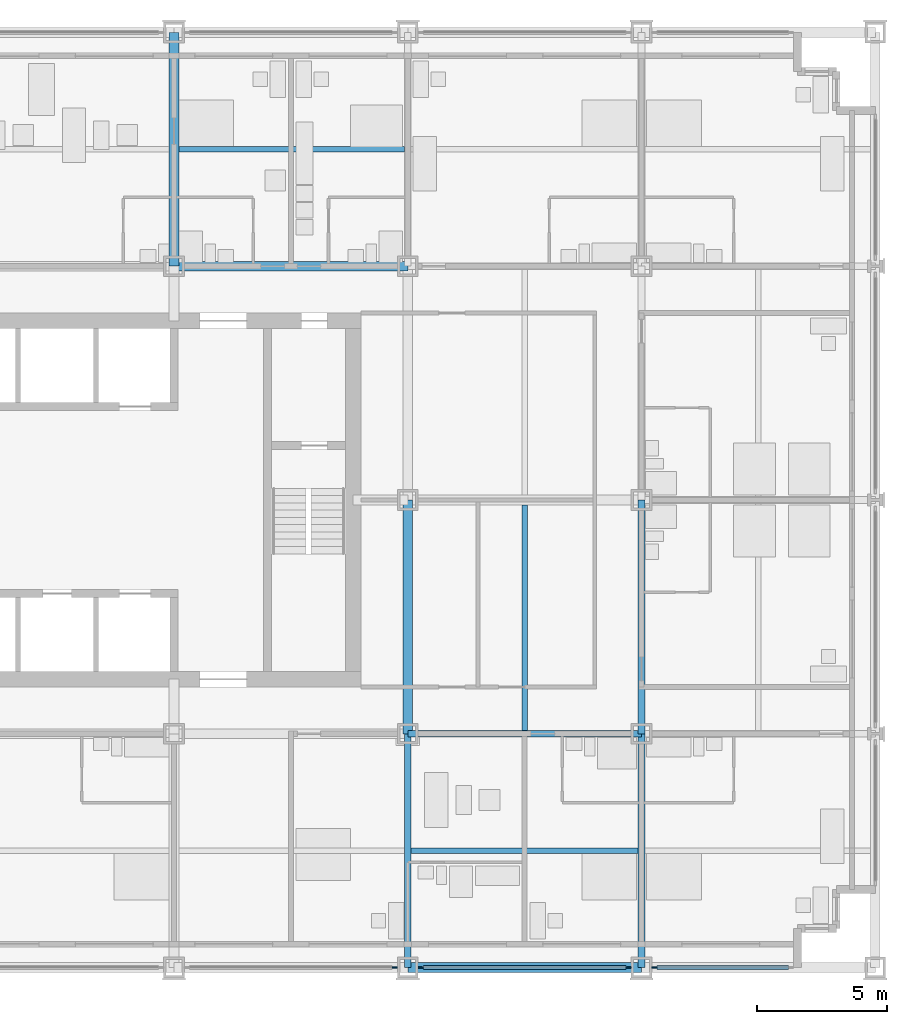
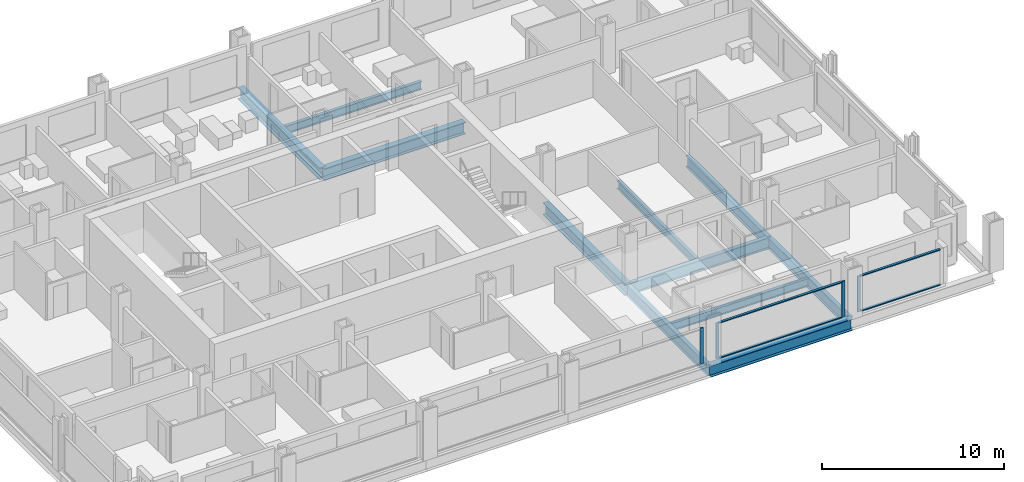
# One storey, part 5 of 18: 11 beams, 8 members, 3 elements without a shape of their own.
"""IFC4 building model written with IfcOpenShell, lengths in metres."""

from ifc_helpers import new_model, si_unit, direction, frame, origin, origin_2d, place, context, subcontext, project, spatial, rectangle, i_section, extrude, material, material_profile, profile_set, type_object, element, aggregate, save


model = new_model("IFC4")

# Units and contexts
model_context = context("Model", 3, precision=1e-05, world=origin(), true_north=direction((0.0, 1.0)))
body_context = subcontext(model_context, "Body", "Model", "MODEL_VIEW")
ifc_project = project(units=[si_unit("LENGTHUNIT", "METRE"), si_unit("AREAUNIT", "SQUARE_METRE"), si_unit("VOLUMEUNIT", "CUBIC_METRE"), si_unit("PLANEANGLEUNIT", "RADIAN"), si_unit("MASSUNIT", "GRAM", prefix="KILO")], contexts=[model_context])

# Site, building, storey
site_placement = place(None, origin())
site = spatial("IfcSite", under=ifc_project, at=site_placement, CompositionType="ELEMENT")
building_placement = place(site_placement, origin())
building = spatial("IfcBuilding", under=site, at=building_placement, Name="Loomwork Tower", CompositionType="ELEMENT")
storey_placement = place(building_placement, frame((0.0, 0.0, 38.199951171875)))
storey = spatial("IfcBuildingStorey", under=building, at=storey_placement, Name="L08", CompositionType="ELEMENT", Elevation=38.199951171875)

# Beams
ifc_material_1 = material(Name="Steel ASTM A992", Category="steel")
ifc_material_profile_1 = material_profile(ifc_material_1, i_section(OverallWidth=0.383544921875, OverallDepth=0.794921875, WebThickness=0.02099609375, FlangeThickness=0.0380859375, at=origin_2d()), Name="W30x235")
ifc_profile_set_1 = profile_set([ifc_material_profile_1], Name="Steel ASTM A992")
beam_type_1 = type_object("IfcBeamType", Name="CORE FLANK GIRDER W30x235", PredefinedType="BEAM", material=ifc_profile_set_1)
for number, where, z_axis, x_axis, name in (
    (1, (27.0, 27.0, -0.597412109375), (1.0, 0.0, 0.0), (0.0, 1.0, 0.0), "Core Flank Girder G/5-G/6 L08"),
    (2, (27.0, 27.0, -0.597412109375), (0.0, 1.0, 0.0), (-1.0, 0.0, 0.0), "Core Flank Girder G/5-H/5 L08"),
    (3, (36.0, 9.0, -0.597412109375), (0.0, 1.0, 0.0), (-1.0, 0.0, 0.0), "Core Flank Girder E/6-F/6 L08"),
):
    element("IfcBeam", number, at=place(storey_placement, frame(where, z_axis=z_axis, x_axis=x_axis)), inside=storey, type_object=beam_type_1, Name=name, PredefinedType="BEAM", context=body_context, shape_type="SweptSolid", body=[
        extrude(i_section(OverallWidth=0.383544921875, OverallDepth=0.794921875, WebThickness=0.02099609375, FlangeThickness=0.0380859375, at=origin_2d()), origin(), (0.0, 0.0, 1.0), 9.0),
    ])
ifc_material_2 = material(Name="Steel ASTM A992", Category="steel")
ifc_material_profile_2 = material_profile(ifc_material_2, i_section(OverallWidth=0.2666015625, OverallDepth=0.761962890625, WebThickness=0.014404296875, FlangeThickness=0.021484375, at=origin_2d()), Name="W30x116")
ifc_profile_set_2 = profile_set([ifc_material_profile_2], Name="Steel ASTM A992")
beam_type_2 = type_object("IfcBeamType", Name="FLOOR GIRDER W30x116", PredefinedType="BEAM", material=ifc_profile_set_2)
for number, where, z_axis, x_axis, name in (
    (4, (36.0, 9.0, -0.5810546875), (1.0, 0.0, 0.0), (0.0, 1.0, 0.0), "Floor Girder E/6-E/7 L08"),
    (5, (36.0, 0.0, -0.5810546875), (0.0, 1.0, 0.0), (-1.0, 0.0, 0.0), "Floor Girder D/6-E/6 L08"),
    (6, (45.0, 0.0, -0.5810546875), (0.0, 1.0, 0.0), (-1.0, 0.0, 0.0), "Floor Girder D/7-E/7 L08"),
    (7, (45.0, 9.0, -0.5810546875), (0.0, 1.0, 0.0), (-1.0, 0.0, 0.0), "Floor Girder E/7-F/7 L08"),
):
    element("IfcBeam", number, at=place(storey_placement, frame(where, z_axis=z_axis, x_axis=x_axis)), inside=storey, type_object=beam_type_2, Name=name, PredefinedType="BEAM", context=body_context, shape_type="SweptSolid", body=[
        extrude(i_section(OverallWidth=0.2666015625, OverallDepth=0.761962890625, WebThickness=0.014404296875, FlangeThickness=0.021484375, at=origin_2d()), origin(), (0.0, 0.0, 1.0), 9.0),
    ])
ifc_material_3 = material(Name="Steel ASTM A992", Category="steel")
ifc_material_profile_3 = material_profile(ifc_material_3, i_section(OverallWidth=0.2109375, OverallDepth=0.53857421875, WebThickness=0.011474609375, FlangeThickness=0.018798828125, at=origin_2d()), Name="W21x73")
ifc_profile_set_3 = profile_set([ifc_material_profile_3], Name="Steel ASTM A992")
beam_type_3 = type_object("IfcBeamType", Name="FLOOR JOIST W21x73", PredefinedType="JOIST", material=ifc_profile_set_3)
beam_1_placement = place(storey_placement, frame((27.19091796875, 31.5, -0.46923828125), z_axis=(1.0, 0.0, 0.0), x_axis=(0.0, 1.0, 0.0)))
element("IfcBeam", 8, at=beam_1_placement, inside=storey, type_object=beam_type_3, Name="Floor Joist 27.000,31.500-36.000,31.500 L08", PredefinedType="JOIST", context=body_context, shape_type="SweptSolid", body=[
    extrude(i_section(OverallWidth=0.2109375, OverallDepth=0.53857421875, WebThickness=0.011474609375, FlangeThickness=0.018798828125, at=origin_2d()), origin(), (0.0, 0.0, 1.0), 8.676025390625),
])
beam_2_placement = place(storey_placement, frame((36.133056640625, 4.5, -0.46923828125), z_axis=(1.0, 0.0, 0.0), x_axis=(0.0, 1.0, 0.0)))
element("IfcBeam", 9, at=beam_2_placement, inside=storey, type_object=beam_type_3, Name="Floor Joist 36.000,4.500-45.000,4.500 L08", PredefinedType="JOIST", context=body_context, shape_type="SweptSolid", body=[
    extrude(i_section(OverallWidth=0.2109375, OverallDepth=0.53857421875, WebThickness=0.011474609375, FlangeThickness=0.018798828125, at=origin_2d()), origin(), (0.0, 0.0, 1.0), 8.73388671875),
])
beam_3_placement = place(storey_placement, frame((40.5, 9.133056640625, -0.46923828125), z_axis=(0.0, 1.0, 0.0), x_axis=(-1.0, 0.0, 0.0)))
element("IfcBeam", 10, at=beam_3_placement, inside=storey, type_object=beam_type_3, Name="Floor Joist 40.500,9.000-40.500,18.000 L08", PredefinedType="JOIST", context=body_context, shape_type="SweptSolid", body=[
    extrude(i_section(OverallWidth=0.2109375, OverallDepth=0.53857421875, WebThickness=0.011474609375, FlangeThickness=0.018798828125, at=origin_2d()), origin(), (0.0, 0.0, 1.0), 8.676025390625),
])

# Curtain wall, member
ifc_material_4 = material(Name="Aluminium curtain wall frame", Category="aluminium")
curtain_wall_type = type_object("IfcCurtainWallType", Name="Outer skin glazing hotel", PredefinedType="NOTDEFINED", material=ifc_material_4)
curtain_wall_1_placement = place(storey_placement, origin())
curtain_wall_1 = element("IfcCurtainWall", 11, at=curtain_wall_1_placement, inside=storey, type_object=curtain_wall_type, Name="Outer skin glazing hotel cw/S-27", PredefinedType="NOTDEFINED")
ifc_material_5 = material(Name="Aluminium curtain wall frame", Category="aluminium")
ifc_material_profile_4 = material_profile(ifc_material_5, rectangle(XDim=0.06494140625, YDim=0.199951171875, at=origin_2d()), Name="AL 65x200")
ifc_profile_set_4 = profile_set([ifc_material_profile_4], Name="Aluminium curtain wall frame")
member_type_1 = type_object("IfcMemberType", Name="Outer skin glazing hotel mullion", PredefinedType="MULLION", material=ifc_profile_set_4)
member_1_placement = place(storey_placement, frame((35.5, 0.0, 0.0), z_axis=(0.0, 0.0, 1.0), x_axis=(0.0, 1.0, 0.0)))
member_1 = element("IfcMember", 12, at=member_1_placement, type_object=member_type_1, Name="CW1 mullion 2", PredefinedType="MULLION", context=body_context, shape_type="SweptSolid", body=[
    extrude(rectangle(XDim=0.06494140625, YDim=0.199951171875, at=origin_2d()), origin(), (0.0, 0.0, 1.0), 2.420166015625),
])
aggregate(curtain_wall_1, [member_1])

# Curtain wall, members
curtain_wall_2_placement = place(storey_placement, origin())
curtain_wall_2 = element("IfcCurtainWall", 13, at=curtain_wall_2_placement, inside=storey, type_object=curtain_wall_type, Name="Outer skin glazing hotel cw/S-36", PredefinedType="NOTDEFINED")
member_2_placement = place(storey_placement, frame((36.5, 0.0, 0.0), z_axis=(0.0, 0.0, 1.0), x_axis=(0.0, 1.0, 0.0)))
member_2 = element("IfcMember", 14, at=member_2_placement, type_object=member_type_1, Name="CW1 mullion 1", PredefinedType="MULLION", context=body_context, shape_type="SweptSolid", body=[
    extrude(rectangle(XDim=0.06494140625, YDim=0.199951171875, at=origin_2d()), origin(), (0.0, 0.0, 1.0), 2.420166015625),
])
member_3_placement = place(storey_placement, frame((44.5, 0.0, 0.0), z_axis=(0.0, 0.0, 1.0), x_axis=(0.0, 1.0, 0.0)))
member_3 = element("IfcMember", 15, at=member_3_placement, type_object=member_type_1, Name="CW1 mullion 2", PredefinedType="MULLION", context=body_context, shape_type="SweptSolid", body=[
    extrude(rectangle(XDim=0.06494140625, YDim=0.199951171875, at=origin_2d()), origin(), (0.0, 0.0, 1.0), 2.420166015625),
])

# Curtain wall, member
curtain_wall_3_placement = place(storey_placement, origin())
curtain_wall_3 = element("IfcCurtainWall", 16, at=curtain_wall_3_placement, inside=storey, type_object=curtain_wall_type, Name="Outer skin glazing hotel cw/S-45", PredefinedType="NOTDEFINED")
member_4_placement = place(storey_placement, frame((45.5, 0.0, 0.0), z_axis=(0.0, 0.0, 1.0), x_axis=(0.0, 1.0, 0.0)))
member_4 = element("IfcMember", 17, at=member_4_placement, type_object=member_type_1, Name="CW1 mullion 1", PredefinedType="MULLION", context=body_context, shape_type="SweptSolid", body=[
    extrude(rectangle(XDim=0.06494140625, YDim=0.199951171875, at=origin_2d()), origin(), (0.0, 0.0, 1.0), 2.420166015625),
])

# Member
ifc_material_6 = material(Name="Aluminium curtain wall frame", Category="aluminium")
ifc_material_profile_5 = material_profile(ifc_material_6, rectangle(XDim=0.14990234375, YDim=0.06494140625, at=origin_2d()), Name="AL 65x150")
ifc_profile_set_5 = profile_set([ifc_material_profile_5], Name="Aluminium curtain wall frame")
member_type_2 = type_object("IfcMemberType", Name="Outer skin glazing hotel transom", PredefinedType="USERDEFINED", material=ifc_profile_set_5)
member_5_placement = place(storey_placement, frame((36.60009765625, 0.0, 0.032470703125), z_axis=(1.0, 0.0, 0.0), x_axis=(0.0, 1.0, 0.0)))
member_5 = element("IfcMember", 18, at=member_5_placement, type_object=member_type_2, Name="CW1 transom 1.1", ObjectType="TRANSOM", PredefinedType="USERDEFINED", context=body_context, shape_type="SweptSolid", body=[
    extrude(rectangle(XDim=0.14990234375, YDim=0.06494140625, at=origin_2d()), origin(), (0.0, 0.0, 1.0), 7.7998046875),
])

member_6_placement = place(storey_placement, frame((36.60009765625, 0.0, 2.3876953125), z_axis=(1.0, 0.0, 0.0), x_axis=(0.0, 1.0, 0.0)))
member_6 = element("IfcMember", 19, at=member_6_placement, type_object=member_type_2, Name="CW1 transom 1.2", ObjectType="TRANSOM", PredefinedType="USERDEFINED", context=body_context, shape_type="SweptSolid", body=[
    extrude(rectangle(XDim=0.14990234375, YDim=0.06494140625, at=origin_2d()), origin(), (0.0, 0.0, 1.0), 7.7998046875),
])

aggregate(curtain_wall_2, [member_2, member_3, member_5, member_6])

member_7_placement = place(storey_placement, frame((45.60009765625, 0.0, 0.032470703125), z_axis=(1.0, 0.0, 0.0), x_axis=(0.0, 1.0, 0.0)))
member_7 = element("IfcMember", 20, at=member_7_placement, type_object=member_type_2, Name="CW1 transom 1.1", ObjectType="TRANSOM", PredefinedType="USERDEFINED", context=body_context, shape_type="SweptSolid", body=[
    extrude(rectangle(XDim=0.14990234375, YDim=0.06494140625, at=origin_2d()), origin(), (0.0, 0.0, 1.0), 5.0498046875),
])

member_8_placement = place(storey_placement, frame((45.60009765625, 0.0, 2.3876953125), z_axis=(1.0, 0.0, 0.0), x_axis=(0.0, 1.0, 0.0)))
member_8 = element("IfcMember", 21, at=member_8_placement, type_object=member_type_2, Name="CW1 transom 1.2", ObjectType="TRANSOM", PredefinedType="USERDEFINED", context=body_context, shape_type="SweptSolid", body=[
    extrude(rectangle(XDim=0.14990234375, YDim=0.06494140625, at=origin_2d()), origin(), (0.0, 0.0, 1.0), 5.0498046875),
])

aggregate(curtain_wall_3, [member_4, member_7, member_8])

# Beam
ifc_material_7 = material(Name="Steel ASTM A992", Category="steel")
ifc_material_profile_6 = material_profile(ifc_material_7, i_section(OverallWidth=0.381103515625, OverallDepth=0.77978515625, WebThickness=0.01806640625, FlangeThickness=0.0302734375, at=origin_2d()), Name="W30x191")
ifc_profile_set_6 = profile_set([ifc_material_profile_6], Name="Steel ASTM A992")
beam_type_4 = type_object("IfcBeamType", Name="SPANDREL GIRDER W30x191", PredefinedType="SPANDREL", material=ifc_profile_set_6)
beam_4_placement = place(storey_placement, frame((36.0, 0.0, -0.58984375), z_axis=(1.0, 0.0, 0.0), x_axis=(0.0, 1.0, 0.0)))
element("IfcBeam", 22, at=beam_4_placement, inside=storey, type_object=beam_type_4, Name="Spandrel Girder D/6-D/7 L08", PredefinedType="SPANDREL", context=body_context, shape_type="SweptSolid", body=[
    extrude(i_section(OverallWidth=0.381103515625, OverallDepth=0.77978515625, WebThickness=0.01806640625, FlangeThickness=0.0302734375, at=origin_2d()), origin(), (0.0, 0.0, 1.0), 9.0),
])

save(model, "model.ifc")
